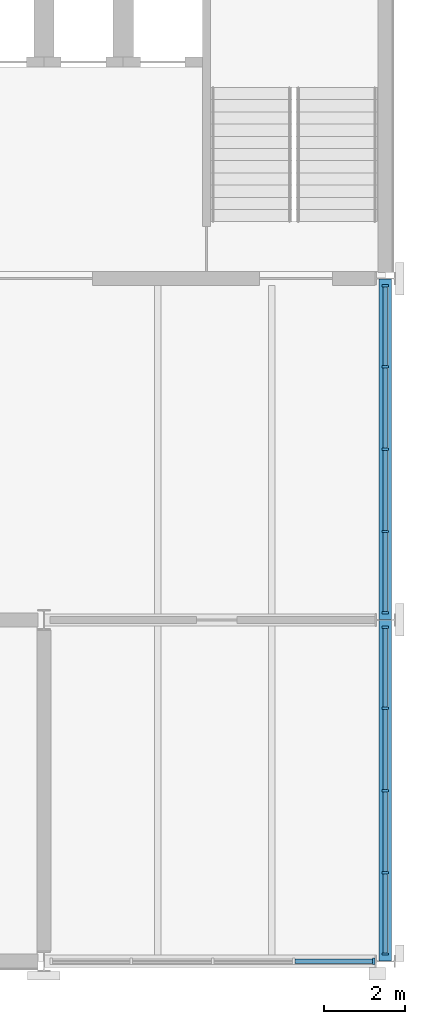
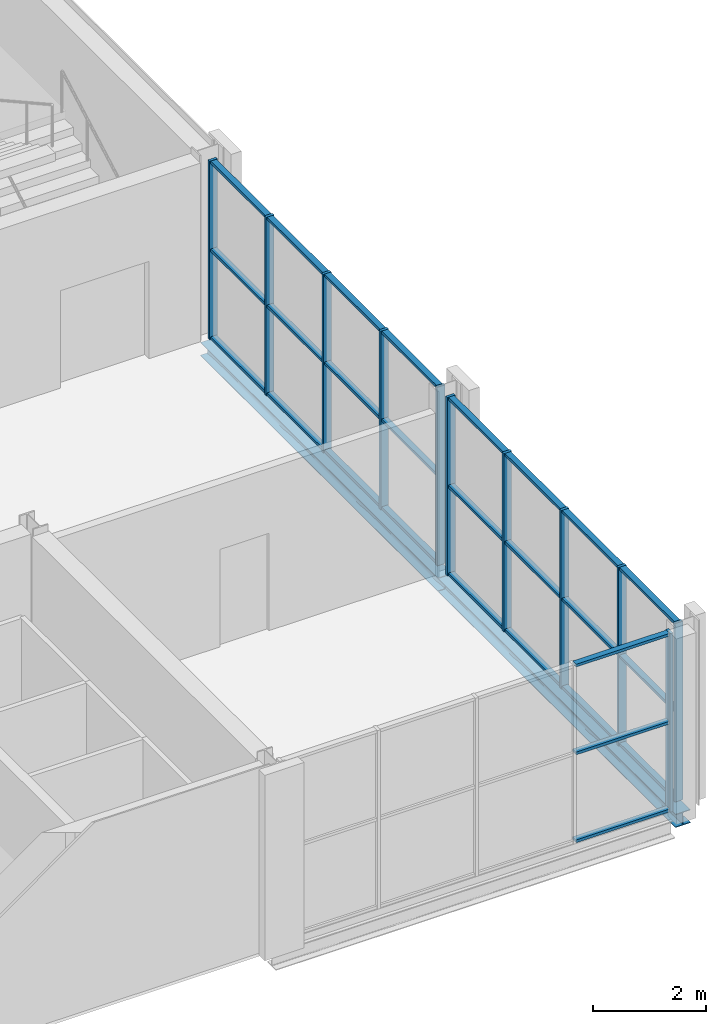
# One storey, part 6 of 12: 38 members, 2 beams, 3 elements without a shape of their own.
"""IFC4 building model written with IfcOpenShell, lengths in metres."""

from ifc_helpers import new_model, si_unit, direction, frame, origin, origin_2d, place, context, subcontext, project, spatial, rectangle, i_section, extrude, material, layer, layer_set, material_profile, profile_set, type_object, element, aggregate, save


model = new_model("IFC4")

# Units and contexts
model_context = context("Model", 3, precision=1e-05, world=origin(), true_north=direction((0.0, 1.0)))
body_context = subcontext(model_context, "Body", "Model", "MODEL_VIEW")
ifc_project = project(units=[si_unit("LENGTHUNIT", "METRE"), si_unit("AREAUNIT", "SQUARE_METRE"), si_unit("VOLUMEUNIT", "CUBIC_METRE"), si_unit("PLANEANGLEUNIT", "RADIAN"), si_unit("MASSUNIT", "GRAM", prefix="KILO")], contexts=[model_context])

# Site, building, storey
site_placement = place(None, origin())
site = spatial("IfcSite", under=ifc_project, at=site_placement, CompositionType="ELEMENT")
building_placement = place(site_placement, origin())
building = spatial("IfcBuilding", under=site, at=building_placement, Name="Galleria Vessillo Department Store", CompositionType="ELEMENT")
storey_placement = place(building_placement, frame((0.0, 0.0, 39.60009765625)))
storey = spatial("IfcBuildingStorey", under=building, at=storey_placement, Name="L08", CompositionType="ELEMENT", Elevation=39.60009765625)

# Curtain wall, member
ifc_material_1 = material(Name="Aluminium and glass curtain wall", Category="aluminium")
ifc_layer = layer(ifc_material_1, 0.159912109375)
ifc_layer_set = layer_set([ifc_layer], Name="Aluminium and glass curtain wall")
curtain_wall_type = type_object("IfcCurtainWallType", Name="Tower curtain wall CW4 2100 module", PredefinedType="NOTDEFINED", material=ifc_layer_set)
curtain_wall_1_placement = place(storey_placement, origin())
curtain_wall_1 = element("IfcCurtainWall", 1, at=curtain_wall_1_placement, inside=storey, type_object=curtain_wall_type, Name="Tower curtain wall CW4 2100 module TS-L08-03", PredefinedType="NOTDEFINED")
ifc_material_2 = material(Name="Aluminium alloy 6063 T6", Category="aluminium")
ifc_material_profile_1 = material_profile(ifc_material_2, rectangle(XDim=0.159912109375, YDim=0.06005859375, at=origin_2d()), Name="AL 60x160")
ifc_profile_set_1 = profile_set([ifc_material_profile_1], Name="Aluminium alloy 6063 T6")
member_type_1 = type_object("IfcMemberType", Name="Aluminium mullion 60 x 160", PredefinedType="MULLION", material=ifc_profile_set_1)
member_1_placement = place(storey_placement, frame((117.320068359375, 37.800048828125, 0.0), z_axis=(0.0, 0.0, 1.0), x_axis=(0.0, 1.0, 0.0)))
member_1 = element("IfcMember", 2, at=member_1_placement, type_object=member_type_1, Name="CW4 mullion 5", PredefinedType="MULLION", context=body_context, shape_type="SweptSolid", body=[
    extrude(rectangle(XDim=0.159912109375, YDim=0.06005859375, at=origin_2d()), origin(), (0.0, 0.0, 1.0), 3.85009765625),
])

# Curtain wall, members
curtain_wall_2_placement = place(storey_placement, origin())
curtain_wall_2 = element("IfcCurtainWall", 3, at=curtain_wall_2_placement, inside=storey, type_object=curtain_wall_type, Name="Tower curtain wall CW4 2100 module TE-L08-01", PredefinedType="NOTDEFINED")
member_2_placement = place(storey_placement, frame((117.60009765625, 37.97998046875, 0.0), z_axis=(0.0, 0.0, 1.0), x_axis=(-1.0, 0.0, 0.0)))
member_2 = element("IfcMember", 4, at=member_2_placement, type_object=member_type_1, Name="CW4 mullion 1", PredefinedType="MULLION", context=body_context, shape_type="SweptSolid", body=[
    extrude(rectangle(XDim=0.159912109375, YDim=0.06005859375, at=origin_2d()), origin(), (0.0, 0.0, 1.0), 3.85009765625),
])
member_3_placement = place(storey_placement, frame((117.60009765625, 39.97509765625, 0.0), z_axis=(0.0, 0.0, 1.0), x_axis=(-1.0, 0.0, 0.0)))
member_3 = element("IfcMember", 5, at=member_3_placement, type_object=member_type_1, Name="CW4 mullion 2", PredefinedType="MULLION", context=body_context, shape_type="SweptSolid", body=[
    extrude(rectangle(XDim=0.159912109375, YDim=0.06005859375, at=origin_2d()), origin(), (0.0, 0.0, 1.0), 3.85009765625),
])
member_4_placement = place(storey_placement, frame((117.60009765625, 42.0, 0.0), z_axis=(0.0, 0.0, 1.0), x_axis=(-1.0, 0.0, 0.0)))
member_4 = element("IfcMember", 6, at=member_4_placement, type_object=member_type_1, Name="CW4 mullion 3", PredefinedType="MULLION", context=body_context, shape_type="SweptSolid", body=[
    extrude(rectangle(XDim=0.159912109375, YDim=0.06005859375, at=origin_2d()), origin(), (0.0, 0.0, 1.0), 3.85009765625),
])
member_5_placement = place(storey_placement, frame((117.60009765625, 44.02490234375, 0.0), z_axis=(0.0, 0.0, 1.0), x_axis=(-1.0, 0.0, 0.0)))
member_5 = element("IfcMember", 7, at=member_5_placement, type_object=member_type_1, Name="CW4 mullion 4", PredefinedType="MULLION", context=body_context, shape_type="SweptSolid", body=[
    extrude(rectangle(XDim=0.159912109375, YDim=0.06005859375, at=origin_2d()), origin(), (0.0, 0.0, 1.0), 3.85009765625),
])
member_6_placement = place(storey_placement, frame((117.60009765625, 46.02001953125, 0.0), z_axis=(0.0, 0.0, 1.0), x_axis=(-1.0, 0.0, 0.0)))
member_6 = element("IfcMember", 8, at=member_6_placement, type_object=member_type_1, Name="CW4 mullion 5", PredefinedType="MULLION", context=body_context, shape_type="SweptSolid", body=[
    extrude(rectangle(XDim=0.159912109375, YDim=0.06005859375, at=origin_2d()), origin(), (0.0, 0.0, 1.0), 3.85009765625),
])

curtain_wall_3_placement = place(storey_placement, origin())
curtain_wall_3 = element("IfcCurtainWall", 9, at=curtain_wall_3_placement, inside=storey, type_object=curtain_wall_type, Name="Tower curtain wall CW4 2100 module TE-L08-02", PredefinedType="NOTDEFINED")
member_7_placement = place(storey_placement, frame((117.60009765625, 46.3798828125, 0.0), z_axis=(0.0, 0.0, 1.0), x_axis=(-1.0, 0.0, 0.0)))
member_7 = element("IfcMember", 10, at=member_7_placement, type_object=member_type_1, Name="CW4 mullion 1", PredefinedType="MULLION", context=body_context, shape_type="SweptSolid", body=[
    extrude(rectangle(XDim=0.159912109375, YDim=0.06005859375, at=origin_2d()), origin(), (0.0, 0.0, 1.0), 3.85009765625),
])
member_8_placement = place(storey_placement, frame((117.60009765625, 48.375, 0.0), z_axis=(0.0, 0.0, 1.0), x_axis=(-1.0, 0.0, 0.0)))
member_8 = element("IfcMember", 11, at=member_8_placement, type_object=member_type_1, Name="CW4 mullion 2", PredefinedType="MULLION", context=body_context, shape_type="SweptSolid", body=[
    extrude(rectangle(XDim=0.159912109375, YDim=0.06005859375, at=origin_2d()), origin(), (0.0, 0.0, 1.0), 3.85009765625),
])
member_9_placement = place(storey_placement, frame((117.60009765625, 50.39990234375, 0.0), z_axis=(0.0, 0.0, 1.0), x_axis=(-1.0, 0.0, 0.0)))
member_9 = element("IfcMember", 12, at=member_9_placement, type_object=member_type_1, Name="CW4 mullion 3", PredefinedType="MULLION", context=body_context, shape_type="SweptSolid", body=[
    extrude(rectangle(XDim=0.159912109375, YDim=0.06005859375, at=origin_2d()), origin(), (0.0, 0.0, 1.0), 3.85009765625),
])
member_10_placement = place(storey_placement, frame((117.60009765625, 52.425048828125, 0.0), z_axis=(0.0, 0.0, 1.0), x_axis=(-1.0, 0.0, 0.0)))
member_10 = element("IfcMember", 13, at=member_10_placement, type_object=member_type_1, Name="CW4 mullion 4", PredefinedType="MULLION", context=body_context, shape_type="SweptSolid", body=[
    extrude(rectangle(XDim=0.159912109375, YDim=0.06005859375, at=origin_2d()), origin(), (0.0, 0.0, 1.0), 3.85009765625),
])
member_11_placement = place(storey_placement, frame((117.60009765625, 54.420166015625, 0.0), z_axis=(0.0, 0.0, 1.0), x_axis=(-1.0, 0.0, 0.0)))
member_11 = element("IfcMember", 14, at=member_11_placement, type_object=member_type_1, Name="CW4 mullion 5", PredefinedType="MULLION", context=body_context, shape_type="SweptSolid", body=[
    extrude(rectangle(XDim=0.159912109375, YDim=0.06005859375, at=origin_2d()), origin(), (0.0, 0.0, 1.0), 3.85009765625),
])

# Member
ifc_material_3 = material(Name="Aluminium alloy 6063 T6", Category="aluminium")
ifc_material_profile_2 = material_profile(ifc_material_3, rectangle(XDim=0.1201171875, YDim=0.06005859375, at=origin_2d()), Name="AL 60x120")
ifc_profile_set_2 = profile_set([ifc_material_profile_2], Name="Aluminium alloy 6063 T6")
member_type_2 = type_object("IfcMemberType", Name="Aluminium transom 60 x 120", PredefinedType="USERDEFINED", material=ifc_profile_set_2)
member_12_placement = place(storey_placement, frame((115.380126953125, 37.800048828125, 0.030029296875), z_axis=(1.0, 0.0, 0.0), x_axis=(0.0, 1.0, 0.0)))
member_12 = element("IfcMember", 15, at=member_12_placement, type_object=member_type_2, Name="CW4 transom 4.1", ObjectType="TRANSOM", PredefinedType="USERDEFINED", context=body_context, shape_type="SweptSolid", body=[
    extrude(rectangle(XDim=0.1201171875, YDim=0.06005859375, at=origin_2d()), origin(), (0.0, 0.0, 1.0), 1.909912109375),
])

member_13_placement = place(storey_placement, frame((115.380126953125, 37.800048828125, 1.925048828125), z_axis=(1.0, 0.0, 0.0), x_axis=(0.0, 1.0, 0.0)))
member_13 = element("IfcMember", 16, at=member_13_placement, type_object=member_type_2, Name="CW4 transom 4.2", ObjectType="TRANSOM", PredefinedType="USERDEFINED", context=body_context, shape_type="SweptSolid", body=[
    extrude(rectangle(XDim=0.1201171875, YDim=0.06005859375, at=origin_2d()), origin(), (0.0, 0.0, 1.0), 1.909912109375),
])

member_14_placement = place(storey_placement, frame((115.380126953125, 37.800048828125, 3.820068359375), z_axis=(1.0, 0.0, 0.0), x_axis=(0.0, 1.0, 0.0)))
member_14 = element("IfcMember", 17, at=member_14_placement, type_object=member_type_2, Name="CW4 transom 4.3", ObjectType="TRANSOM", PredefinedType="USERDEFINED", context=body_context, shape_type="SweptSolid", body=[
    extrude(rectangle(XDim=0.1201171875, YDim=0.06005859375, at=origin_2d()), origin(), (0.0, 0.0, 1.0), 1.909912109375),
])

aggregate(curtain_wall_1, [member_1, member_12, member_13, member_14])

member_15_placement = place(storey_placement, frame((117.60009765625, 38.010009765625, 0.030029296875), z_axis=(0.0, 1.0, 0.0), x_axis=(-1.0, 0.0, 0.0)))
member_15 = element("IfcMember", 18, at=member_15_placement, type_object=member_type_2, Name="CW4 transom 1.1", ObjectType="TRANSOM", PredefinedType="USERDEFINED", context=body_context, shape_type="SweptSolid", body=[
    extrude(rectangle(XDim=0.1201171875, YDim=0.06005859375, at=origin_2d()), origin(), (0.0, 0.0, 1.0), 1.93505859375),
])

member_16_placement = place(storey_placement, frame((117.60009765625, 38.010009765625, 1.925048828125), z_axis=(0.0, 1.0, 0.0), x_axis=(-1.0, 0.0, 0.0)))
member_16 = element("IfcMember", 19, at=member_16_placement, type_object=member_type_2, Name="CW4 transom 1.2", ObjectType="TRANSOM", PredefinedType="USERDEFINED", context=body_context, shape_type="SweptSolid", body=[
    extrude(rectangle(XDim=0.1201171875, YDim=0.06005859375, at=origin_2d()), origin(), (0.0, 0.0, 1.0), 1.93505859375),
])

member_17_placement = place(storey_placement, frame((117.60009765625, 38.010009765625, 3.820068359375), z_axis=(0.0, 1.0, 0.0), x_axis=(-1.0, 0.0, 0.0)))
member_17 = element("IfcMember", 20, at=member_17_placement, type_object=member_type_2, Name="CW4 transom 1.3", ObjectType="TRANSOM", PredefinedType="USERDEFINED", context=body_context, shape_type="SweptSolid", body=[
    extrude(rectangle(XDim=0.1201171875, YDim=0.06005859375, at=origin_2d()), origin(), (0.0, 0.0, 1.0), 1.93505859375),
])

member_18_placement = place(storey_placement, frame((117.60009765625, 40.0048828125, 0.030029296875), z_axis=(0.0, 1.0, 0.0), x_axis=(-1.0, 0.0, 0.0)))
member_18 = element("IfcMember", 21, at=member_18_placement, type_object=member_type_2, Name="CW4 transom 2.1", ObjectType="TRANSOM", PredefinedType="USERDEFINED", context=body_context, shape_type="SweptSolid", body=[
    extrude(rectangle(XDim=0.1201171875, YDim=0.06005859375, at=origin_2d()), origin(), (0.0, 0.0, 1.0), 1.965087890625),
])

member_19_placement = place(storey_placement, frame((117.60009765625, 40.0048828125, 1.925048828125), z_axis=(0.0, 1.0, 0.0), x_axis=(-1.0, 0.0, 0.0)))
member_19 = element("IfcMember", 22, at=member_19_placement, type_object=member_type_2, Name="CW4 transom 2.2", ObjectType="TRANSOM", PredefinedType="USERDEFINED", context=body_context, shape_type="SweptSolid", body=[
    extrude(rectangle(XDim=0.1201171875, YDim=0.06005859375, at=origin_2d()), origin(), (0.0, 0.0, 1.0), 1.965087890625),
])

member_20_placement = place(storey_placement, frame((117.60009765625, 40.0048828125, 3.820068359375), z_axis=(0.0, 1.0, 0.0), x_axis=(-1.0, 0.0, 0.0)))
member_20 = element("IfcMember", 23, at=member_20_placement, type_object=member_type_2, Name="CW4 transom 2.3", ObjectType="TRANSOM", PredefinedType="USERDEFINED", context=body_context, shape_type="SweptSolid", body=[
    extrude(rectangle(XDim=0.1201171875, YDim=0.06005859375, at=origin_2d()), origin(), (0.0, 0.0, 1.0), 1.965087890625),
])

member_21_placement = place(storey_placement, frame((117.60009765625, 42.030029296875, 0.030029296875), z_axis=(0.0, 1.0, 0.0), x_axis=(-1.0, 0.0, 0.0)))
member_21 = element("IfcMember", 24, at=member_21_placement, type_object=member_type_2, Name="CW4 transom 3.1", ObjectType="TRANSOM", PredefinedType="USERDEFINED", context=body_context, shape_type="SweptSolid", body=[
    extrude(rectangle(XDim=0.1201171875, YDim=0.06005859375, at=origin_2d()), origin(), (0.0, 0.0, 1.0), 1.965087890625),
])

member_22_placement = place(storey_placement, frame((117.60009765625, 42.030029296875, 1.925048828125), z_axis=(0.0, 1.0, 0.0), x_axis=(-1.0, 0.0, 0.0)))
member_22 = element("IfcMember", 25, at=member_22_placement, type_object=member_type_2, Name="CW4 transom 3.2", ObjectType="TRANSOM", PredefinedType="USERDEFINED", context=body_context, shape_type="SweptSolid", body=[
    extrude(rectangle(XDim=0.1201171875, YDim=0.06005859375, at=origin_2d()), origin(), (0.0, 0.0, 1.0), 1.965087890625),
])

member_23_placement = place(storey_placement, frame((117.60009765625, 42.030029296875, 3.820068359375), z_axis=(0.0, 1.0, 0.0), x_axis=(-1.0, 0.0, 0.0)))
member_23 = element("IfcMember", 26, at=member_23_placement, type_object=member_type_2, Name="CW4 transom 3.3", ObjectType="TRANSOM", PredefinedType="USERDEFINED", context=body_context, shape_type="SweptSolid", body=[
    extrude(rectangle(XDim=0.1201171875, YDim=0.06005859375, at=origin_2d()), origin(), (0.0, 0.0, 1.0), 1.965087890625),
])

member_24_placement = place(storey_placement, frame((117.60009765625, 44.054931640625, 0.030029296875), z_axis=(0.0, 1.0, 0.0), x_axis=(-1.0, 0.0, 0.0)))
member_24 = element("IfcMember", 27, at=member_24_placement, type_object=member_type_2, Name="CW4 transom 4.1", ObjectType="TRANSOM", PredefinedType="USERDEFINED", context=body_context, shape_type="SweptSolid", body=[
    extrude(rectangle(XDim=0.1201171875, YDim=0.06005859375, at=origin_2d()), origin(), (0.0, 0.0, 1.0), 1.93505859375),
])

member_25_placement = place(storey_placement, frame((117.60009765625, 44.054931640625, 1.925048828125), z_axis=(0.0, 1.0, 0.0), x_axis=(-1.0, 0.0, 0.0)))
member_25 = element("IfcMember", 28, at=member_25_placement, type_object=member_type_2, Name="CW4 transom 4.2", ObjectType="TRANSOM", PredefinedType="USERDEFINED", context=body_context, shape_type="SweptSolid", body=[
    extrude(rectangle(XDim=0.1201171875, YDim=0.06005859375, at=origin_2d()), origin(), (0.0, 0.0, 1.0), 1.93505859375),
])

member_26_placement = place(storey_placement, frame((117.60009765625, 44.054931640625, 3.820068359375), z_axis=(0.0, 1.0, 0.0), x_axis=(-1.0, 0.0, 0.0)))
member_26 = element("IfcMember", 29, at=member_26_placement, type_object=member_type_2, Name="CW4 transom 4.3", ObjectType="TRANSOM", PredefinedType="USERDEFINED", context=body_context, shape_type="SweptSolid", body=[
    extrude(rectangle(XDim=0.1201171875, YDim=0.06005859375, at=origin_2d()), origin(), (0.0, 0.0, 1.0), 1.93505859375),
])

aggregate(curtain_wall_2, [member_2, member_3, member_4, member_5, member_6, member_15, member_16, member_17, member_18, member_19, member_20, member_21, member_22, member_23, member_24, member_25, member_26])

member_27_placement = place(storey_placement, frame((117.60009765625, 46.409912109375, 0.030029296875), z_axis=(0.0, 1.0, 0.0), x_axis=(-1.0, 0.0, 0.0)))
member_27 = element("IfcMember", 30, at=member_27_placement, type_object=member_type_2, Name="CW4 transom 1.1", ObjectType="TRANSOM", PredefinedType="USERDEFINED", context=body_context, shape_type="SweptSolid", body=[
    extrude(rectangle(XDim=0.1201171875, YDim=0.06005859375, at=origin_2d()), origin(), (0.0, 0.0, 1.0), 1.93505859375),
])

member_28_placement = place(storey_placement, frame((117.60009765625, 46.409912109375, 1.925048828125), z_axis=(0.0, 1.0, 0.0), x_axis=(-1.0, 0.0, 0.0)))
member_28 = element("IfcMember", 31, at=member_28_placement, type_object=member_type_2, Name="CW4 transom 1.2", ObjectType="TRANSOM", PredefinedType="USERDEFINED", context=body_context, shape_type="SweptSolid", body=[
    extrude(rectangle(XDim=0.1201171875, YDim=0.06005859375, at=origin_2d()), origin(), (0.0, 0.0, 1.0), 1.93505859375),
])

member_29_placement = place(storey_placement, frame((117.60009765625, 46.409912109375, 3.820068359375), z_axis=(0.0, 1.0, 0.0), x_axis=(-1.0, 0.0, 0.0)))
member_29 = element("IfcMember", 32, at=member_29_placement, type_object=member_type_2, Name="CW4 transom 1.3", ObjectType="TRANSOM", PredefinedType="USERDEFINED", context=body_context, shape_type="SweptSolid", body=[
    extrude(rectangle(XDim=0.1201171875, YDim=0.06005859375, at=origin_2d()), origin(), (0.0, 0.0, 1.0), 1.93505859375),
])

member_30_placement = place(storey_placement, frame((117.60009765625, 48.405029296875, 0.030029296875), z_axis=(0.0, 1.0, 0.0), x_axis=(-1.0, 0.0, 0.0)))
member_30 = element("IfcMember", 33, at=member_30_placement, type_object=member_type_2, Name="CW4 transom 2.1", ObjectType="TRANSOM", PredefinedType="USERDEFINED", context=body_context, shape_type="SweptSolid", body=[
    extrude(rectangle(XDim=0.1201171875, YDim=0.06005859375, at=origin_2d()), origin(), (0.0, 0.0, 1.0), 1.965087890625),
])

member_31_placement = place(storey_placement, frame((117.60009765625, 48.405029296875, 1.925048828125), z_axis=(0.0, 1.0, 0.0), x_axis=(-1.0, 0.0, 0.0)))
member_31 = element("IfcMember", 34, at=member_31_placement, type_object=member_type_2, Name="CW4 transom 2.2", ObjectType="TRANSOM", PredefinedType="USERDEFINED", context=body_context, shape_type="SweptSolid", body=[
    extrude(rectangle(XDim=0.1201171875, YDim=0.06005859375, at=origin_2d()), origin(), (0.0, 0.0, 1.0), 1.965087890625),
])

member_32_placement = place(storey_placement, frame((117.60009765625, 48.405029296875, 3.820068359375), z_axis=(0.0, 1.0, 0.0), x_axis=(-1.0, 0.0, 0.0)))
member_32 = element("IfcMember", 35, at=member_32_placement, type_object=member_type_2, Name="CW4 transom 2.3", ObjectType="TRANSOM", PredefinedType="USERDEFINED", context=body_context, shape_type="SweptSolid", body=[
    extrude(rectangle(XDim=0.1201171875, YDim=0.06005859375, at=origin_2d()), origin(), (0.0, 0.0, 1.0), 1.965087890625),
])

member_33_placement = place(storey_placement, frame((117.60009765625, 50.429931640625, 0.030029296875), z_axis=(0.0, 1.0, 0.0), x_axis=(-1.0, 0.0, 0.0)))
member_33 = element("IfcMember", 36, at=member_33_placement, type_object=member_type_2, Name="CW4 transom 3.1", ObjectType="TRANSOM", PredefinedType="USERDEFINED", context=body_context, shape_type="SweptSolid", body=[
    extrude(rectangle(XDim=0.1201171875, YDim=0.06005859375, at=origin_2d()), origin(), (0.0, 0.0, 1.0), 1.965087890625),
])

member_34_placement = place(storey_placement, frame((117.60009765625, 50.429931640625, 1.925048828125), z_axis=(0.0, 1.0, 0.0), x_axis=(-1.0, 0.0, 0.0)))
member_34 = element("IfcMember", 37, at=member_34_placement, type_object=member_type_2, Name="CW4 transom 3.2", ObjectType="TRANSOM", PredefinedType="USERDEFINED", context=body_context, shape_type="SweptSolid", body=[
    extrude(rectangle(XDim=0.1201171875, YDim=0.06005859375, at=origin_2d()), origin(), (0.0, 0.0, 1.0), 1.965087890625),
])

member_35_placement = place(storey_placement, frame((117.60009765625, 50.429931640625, 3.820068359375), z_axis=(0.0, 1.0, 0.0), x_axis=(-1.0, 0.0, 0.0)))
member_35 = element("IfcMember", 38, at=member_35_placement, type_object=member_type_2, Name="CW4 transom 3.3", ObjectType="TRANSOM", PredefinedType="USERDEFINED", context=body_context, shape_type="SweptSolid", body=[
    extrude(rectangle(XDim=0.1201171875, YDim=0.06005859375, at=origin_2d()), origin(), (0.0, 0.0, 1.0), 1.965087890625),
])

member_36_placement = place(storey_placement, frame((117.60009765625, 52.455078125, 0.030029296875), z_axis=(0.0, 1.0, 0.0), x_axis=(-1.0, 0.0, 0.0)))
member_36 = element("IfcMember", 39, at=member_36_placement, type_object=member_type_2, Name="CW4 transom 4.1", ObjectType="TRANSOM", PredefinedType="USERDEFINED", context=body_context, shape_type="SweptSolid", body=[
    extrude(rectangle(XDim=0.1201171875, YDim=0.06005859375, at=origin_2d()), origin(), (0.0, 0.0, 1.0), 1.93505859375),
])

member_37_placement = place(storey_placement, frame((117.60009765625, 52.455078125, 1.925048828125), z_axis=(0.0, 1.0, 0.0), x_axis=(-1.0, 0.0, 0.0)))
member_37 = element("IfcMember", 40, at=member_37_placement, type_object=member_type_2, Name="CW4 transom 4.2", ObjectType="TRANSOM", PredefinedType="USERDEFINED", context=body_context, shape_type="SweptSolid", body=[
    extrude(rectangle(XDim=0.1201171875, YDim=0.06005859375, at=origin_2d()), origin(), (0.0, 0.0, 1.0), 1.93505859375),
])

member_38_placement = place(storey_placement, frame((117.60009765625, 52.455078125, 3.820068359375), z_axis=(0.0, 1.0, 0.0), x_axis=(-1.0, 0.0, 0.0)))
member_38 = element("IfcMember", 41, at=member_38_placement, type_object=member_type_2, Name="CW4 transom 4.3", ObjectType="TRANSOM", PredefinedType="USERDEFINED", context=body_context, shape_type="SweptSolid", body=[
    extrude(rectangle(XDim=0.1201171875, YDim=0.06005859375, at=origin_2d()), origin(), (0.0, 0.0, 1.0), 1.93505859375),
])

aggregate(curtain_wall_3, [member_7, member_8, member_9, member_10, member_11, member_27, member_28, member_29, member_30, member_31, member_32, member_33, member_34, member_35, member_36, member_37, member_38])

# Beams
ifc_material_4 = material(Name="Steel S355 J2", Category="steel")
ifc_material_profile_3 = material_profile(ifc_material_4, i_section(OverallWidth=0.300048828125, OverallDepth=0.2900390625, WebThickness=0.008544921875, FlangeThickness=0.013916015625, FilletRadius=0.027099609375, at=origin_2d()), Name="HEA 300")
ifc_profile_set_3 = profile_set([ifc_material_profile_3], Name="Steel S355 J2")
beam_type = type_object("IfcBeamType", Name="Spandrel beam HEA 300", PredefinedType="SPANDREL", material=ifc_profile_set_3)
for number, where, z_axis, x_axis, name in (
    (42, (117.60009765625, 37.807373046875, -0.294921875), (0.0, 1.0, 0.0), (-1.0, 0.0, 0.0), "S-BM-L08-SP-y117600-37807"),
    (43, (117.60009765625, 46.207275390625, -0.294921875), (0.0, 1.0, 0.0), (-1.0, 0.0, 0.0), "S-BM-L08-SP-y117600-46207"),
):
    element("IfcBeam", number, at=place(storey_placement, frame(where, z_axis=z_axis, x_axis=x_axis)), inside=storey, type_object=beam_type, Name=name, PredefinedType="SPANDREL", context=body_context, shape_type="SweptSolid", body=[
        extrude(i_section(OverallWidth=0.300048828125, OverallDepth=0.2900390625, WebThickness=0.008544921875, FlangeThickness=0.013916015625, FilletRadius=0.027099609375, at=origin_2d()), origin(), (0.0, 0.0, 1.0), 8.38525390625),
    ])

save(model, "model.ifc")
